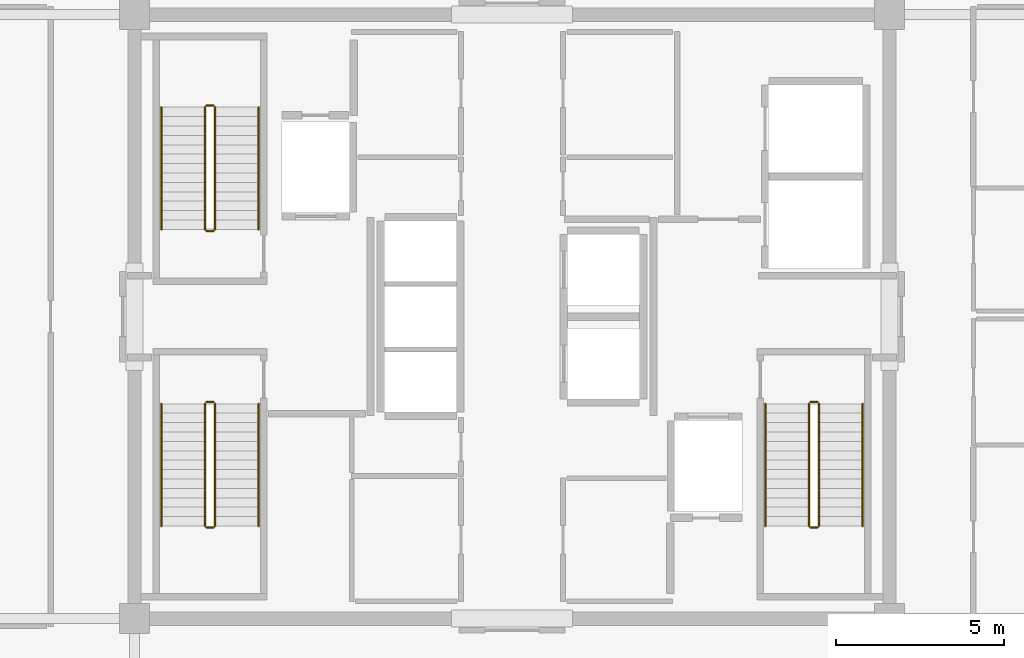
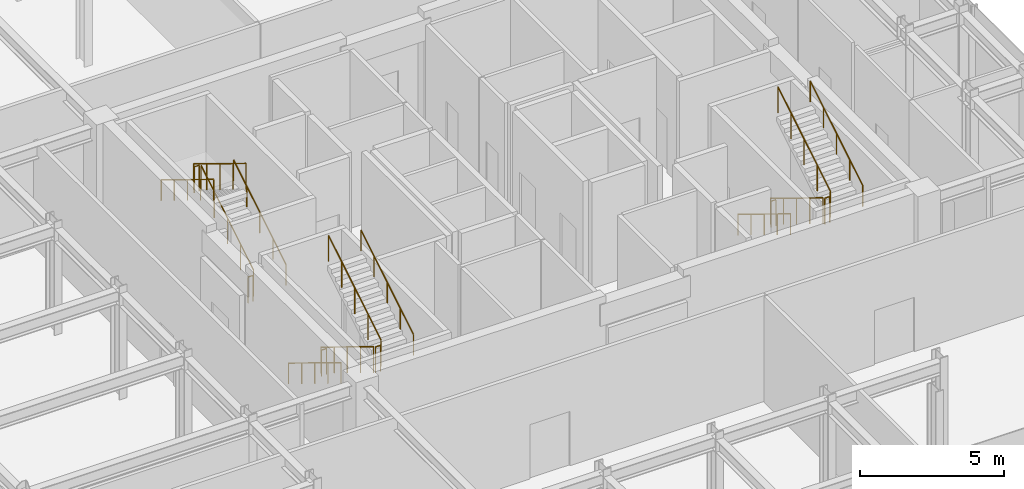
# One storey, part 16 of 17: 18 railings.
"""IFC4 building model written with IfcOpenShell, lengths in metres."""

from ifc_helpers import new_model, si_unit, direction, frame, origin, origin_2d, place, context, subcontext, project, spatial, circle, extrude, material, type_object, element, save


model = new_model("IFC4")

# Units and contexts
model_context = context("Model", 3, precision=1e-05, world=origin(), true_north=direction((0.0, 1.0)))
body_context = subcontext(model_context, "Body", "Model", "MODEL_VIEW")
ifc_project = project(units=[si_unit("LENGTHUNIT", "METRE"), si_unit("AREAUNIT", "SQUARE_METRE"), si_unit("VOLUMEUNIT", "CUBIC_METRE"), si_unit("PLANEANGLEUNIT", "RADIAN"), si_unit("MASSUNIT", "GRAM", prefix="KILO")], contexts=[model_context])

# Site, building, storey
site_placement = place(None, origin())
site = spatial("IfcSite", under=ifc_project, at=site_placement, CompositionType="ELEMENT")
building_placement = place(site_placement, origin())
building = spatial("IfcBuilding", under=site, at=building_placement, Name="Nefas-Gora Pilgrimage Tower", CompositionType="ELEMENT")
storey_placement = place(building_placement, frame((0.0, 0.0, 349.0)))
storey = spatial("IfcBuildingStorey", under=building, at=storey_placement, Name="L88", CompositionType="ELEMENT", Elevation=349.0)

# Railings
ifc_material_1 = material(Name="Painted galvanised steel", Category="steel")
railing_type_1 = type_object("IfcRailingType", Name="RLG-STR-GUARD-1100", PredefinedType="GUARDRAIL", material=ifc_material_1)
railing_1_placement = place(storey_placement, frame((-8.85009765625, 2.60009765625, 0.17138671875)))
element("IfcRailing", 1, at=railing_1_placement, inside=storey, type_object=railing_type_1, Name="L88 ST-01 stair guard 1", PredefinedType="GUARDRAIL", context=body_context, shape_type="SweptSolid", body=[
    extrude(circle(Radius=0.02392578125, at=origin_2d()), frame((0.0, 0.0, 1.09619140625), z_axis=(0.0, 0.852850264322, 0.5221555579), x_axis=(-1.0, 0.0, 0.0)), (0.0, 0.0, 1.0), 4.267822265625),
    extrude(circle(Radius=0.02099609375, at=origin_2d()), origin(), (0.0, 0.0, 1.0), 1.072021484375),
    extrude(circle(Radius=0.02099609375, at=origin_2d()), frame((0.0, 0.909912109375, 0.55712890625)), (0.0, 0.0, 1.0), 1.072021484375),
    extrude(circle(Radius=0.02099609375, at=origin_2d()), frame((0.0, 1.81982421875, 1.1142578125)), (0.0, 0.0, 1.0), 1.072021484375),
    extrude(circle(Radius=0.02099609375, at=origin_2d()), frame((0.0, 2.72998046875, 1.67138671875)), (0.0, 0.0, 1.0), 1.072021484375),
    extrude(circle(Radius=0.02099609375, at=origin_2d()), frame((0.0, 3.639892578125, 2.228515625)), (0.0, 0.0, 1.0), 1.072021484375),
])
railing_2_placement = place(storey_placement, frame((-8.89990234375, 6.2900390625, 2.39990234375)))
element("IfcRailing", 2, at=railing_2_placement, inside=storey, type_object=railing_type_1, Name="L88 ST-01 stair guard 2", PredefinedType="GUARDRAIL", context=body_context, shape_type="SweptSolid", body=[
    extrude(circle(Radius=0.02392578125, at=origin_2d()), frame((0.0, 0.0, 1.09619140625), z_axis=(-1.0, 0.0, 0.0), x_axis=(0.0, -1.0, 0.0)), (0.0, 0.0, 1.0), 0.2001953125),
    extrude(circle(Radius=0.02099609375, at=origin_2d()), origin(), (0.0, 0.0, 1.0), 1.072021484375),
    extrude(circle(Radius=0.02099609375, at=origin_2d()), frame((-0.2001953125, 0.0, 0.0)), (0.0, 0.0, 1.0), 1.072021484375),
])
railing_3_placement = place(storey_placement, frame((-9.14990234375, 6.239990234375, 2.571533203125)))
element("IfcRailing", 3, at=railing_3_placement, inside=storey, type_object=railing_type_1, Name="L88 ST-01 stair guard 3", PredefinedType="GUARDRAIL", context=body_context, shape_type="SweptSolid", body=[
    extrude(circle(Radius=0.02392578125, at=origin_2d()), frame((0.0, 0.0, 1.09619140625), z_axis=(0.0, -0.852850264322, 0.5221555579), x_axis=(1.0, 0.0, 0.0)), (0.0, 0.0, 1.0), 4.267822265625),
    extrude(circle(Radius=0.02099609375, at=origin_2d()), origin(), (0.0, 0.0, 1.0), 1.072021484375),
    extrude(circle(Radius=0.02099609375, at=origin_2d()), frame((0.0, -0.909912109375, 0.55712890625)), (0.0, 0.0, 1.0), 1.072021484375),
    extrude(circle(Radius=0.02099609375, at=origin_2d()), frame((0.0, -1.81982421875, 1.1142578125)), (0.0, 0.0, 1.0), 1.072021484375),
    extrude(circle(Radius=0.02099609375, at=origin_2d()), frame((0.0, -2.72998046875, 1.67138671875)), (0.0, 0.0, 1.0), 1.072021484375),
    extrude(circle(Radius=0.02099609375, at=origin_2d()), frame((0.0, -3.639892578125, 2.228515625)), (0.0, 0.0, 1.0), 1.072021484375),
])
railing_4_placement = place(storey_placement, frame((-8.89990234375, 2.550048828125, 0.0)))
element("IfcRailing", 4, at=railing_4_placement, inside=storey, type_object=railing_type_1, Name="L88 ST-01 stair guard 4", PredefinedType="GUARDRAIL", context=body_context, shape_type="SweptSolid", body=[
    extrude(circle(Radius=0.02392578125, at=origin_2d()), frame((0.0, 0.0, 1.09619140625), z_axis=(-1.0, 0.0, 0.0), x_axis=(0.0, -1.0, 0.0)), (0.0, 0.0, 1.0), 0.2001953125),
    extrude(circle(Radius=0.02099609375, at=origin_2d()), origin(), (0.0, 0.0, 1.0), 1.072021484375),
    extrude(circle(Radius=0.02099609375, at=origin_2d()), frame((-0.2001953125, 0.0, 0.0)), (0.0, 0.0, 1.0), 1.072021484375),
])
railing_5_placement = place(storey_placement, frame((8.85009765625, -2.60009765625, 0.17138671875)))
element("IfcRailing", 5, at=railing_5_placement, inside=storey, type_object=railing_type_1, Name="L88 ST-02 stair guard 1", PredefinedType="GUARDRAIL", context=body_context, shape_type="SweptSolid", body=[
    extrude(circle(Radius=0.02392578125, at=origin_2d()), frame((0.0, 0.0, 1.09619140625), z_axis=(0.0, -0.852850264322, 0.5221555579), x_axis=(1.0, 0.0, 0.0)), (0.0, 0.0, 1.0), 4.267822265625),
    extrude(circle(Radius=0.02099609375, at=origin_2d()), origin(), (0.0, 0.0, 1.0), 1.072021484375),
    extrude(circle(Radius=0.02099609375, at=origin_2d()), frame((0.0, -0.909912109375, 0.55712890625)), (0.0, 0.0, 1.0), 1.072021484375),
    extrude(circle(Radius=0.02099609375, at=origin_2d()), frame((0.0, -1.81982421875, 1.1142578125)), (0.0, 0.0, 1.0), 1.072021484375),
    extrude(circle(Radius=0.02099609375, at=origin_2d()), frame((0.0, -2.72998046875, 1.67138671875)), (0.0, 0.0, 1.0), 1.072021484375),
    extrude(circle(Radius=0.02099609375, at=origin_2d()), frame((0.0, -3.639892578125, 2.228515625)), (0.0, 0.0, 1.0), 1.072021484375),
])
railing_6_placement = place(storey_placement, frame((8.89990234375, -6.2900390625, 2.39990234375)))
element("IfcRailing", 6, at=railing_6_placement, inside=storey, type_object=railing_type_1, Name="L88 ST-02 stair guard 2", PredefinedType="GUARDRAIL", context=body_context, shape_type="SweptSolid", body=[
    extrude(circle(Radius=0.02392578125, at=origin_2d()), frame((0.0, 0.0, 1.09619140625), z_axis=(1.0, 0.0, 0.0), x_axis=(0.0, 1.0, 0.0)), (0.0, 0.0, 1.0), 0.2001953125),
    extrude(circle(Radius=0.02099609375, at=origin_2d()), origin(), (0.0, 0.0, 1.0), 1.072021484375),
    extrude(circle(Radius=0.02099609375, at=origin_2d()), frame((0.2001953125, 0.0, 0.0)), (0.0, 0.0, 1.0), 1.072021484375),
])
railing_7_placement = place(storey_placement, frame((9.14990234375, -6.239990234375, 2.571533203125)))
element("IfcRailing", 7, at=railing_7_placement, inside=storey, type_object=railing_type_1, Name="L88 ST-02 stair guard 3", PredefinedType="GUARDRAIL", context=body_context, shape_type="SweptSolid", body=[
    extrude(circle(Radius=0.02392578125, at=origin_2d()), frame((0.0, 0.0, 1.09619140625), z_axis=(0.0, 0.852850264322, 0.5221555579), x_axis=(-1.0, 0.0, 0.0)), (0.0, 0.0, 1.0), 4.267822265625),
    extrude(circle(Radius=0.02099609375, at=origin_2d()), origin(), (0.0, 0.0, 1.0), 1.072021484375),
    extrude(circle(Radius=0.02099609375, at=origin_2d()), frame((0.0, 0.909912109375, 0.55712890625)), (0.0, 0.0, 1.0), 1.072021484375),
    extrude(circle(Radius=0.02099609375, at=origin_2d()), frame((0.0, 1.81982421875, 1.1142578125)), (0.0, 0.0, 1.0), 1.072021484375),
    extrude(circle(Radius=0.02099609375, at=origin_2d()), frame((0.0, 2.72998046875, 1.67138671875)), (0.0, 0.0, 1.0), 1.072021484375),
    extrude(circle(Radius=0.02099609375, at=origin_2d()), frame((0.0, 3.639892578125, 2.228515625)), (0.0, 0.0, 1.0), 1.072021484375),
])
railing_8_placement = place(storey_placement, frame((8.89990234375, -2.550048828125, 0.0)))
element("IfcRailing", 8, at=railing_8_placement, inside=storey, type_object=railing_type_1, Name="L88 ST-02 stair guard 4", PredefinedType="GUARDRAIL", context=body_context, shape_type="SweptSolid", body=[
    extrude(circle(Radius=0.02392578125, at=origin_2d()), frame((0.0, 0.0, 1.09619140625), z_axis=(1.0, 0.0, 0.0), x_axis=(0.0, 1.0, 0.0)), (0.0, 0.0, 1.0), 0.2001953125),
    extrude(circle(Radius=0.02099609375, at=origin_2d()), origin(), (0.0, 0.0, 1.0), 1.072021484375),
    extrude(circle(Radius=0.02099609375, at=origin_2d()), frame((0.2001953125, 0.0, 0.0)), (0.0, 0.0, 1.0), 1.072021484375),
])
railing_9_placement = place(storey_placement, frame((-9.14990234375, -2.60009765625, 0.17138671875)))
element("IfcRailing", 9, at=railing_9_placement, inside=storey, type_object=railing_type_1, Name="L88 ST-03 stair guard 1", PredefinedType="GUARDRAIL", context=body_context, shape_type="SweptSolid", body=[
    extrude(circle(Radius=0.02392578125, at=origin_2d()), frame((0.0, 0.0, 1.09619140625), z_axis=(0.0, -0.852850264322, 0.5221555579), x_axis=(1.0, 0.0, 0.0)), (0.0, 0.0, 1.0), 4.267822265625),
    extrude(circle(Radius=0.02099609375, at=origin_2d()), origin(), (0.0, 0.0, 1.0), 1.072021484375),
    extrude(circle(Radius=0.02099609375, at=origin_2d()), frame((0.0, -0.909912109375, 0.55712890625)), (0.0, 0.0, 1.0), 1.072021484375),
    extrude(circle(Radius=0.02099609375, at=origin_2d()), frame((0.0, -1.81982421875, 1.1142578125)), (0.0, 0.0, 1.0), 1.072021484375),
    extrude(circle(Radius=0.02099609375, at=origin_2d()), frame((0.0, -2.72998046875, 1.67138671875)), (0.0, 0.0, 1.0), 1.072021484375),
    extrude(circle(Radius=0.02099609375, at=origin_2d()), frame((0.0, -3.639892578125, 2.228515625)), (0.0, 0.0, 1.0), 1.072021484375),
])
railing_10_placement = place(storey_placement, frame((-9.10009765625, -6.2900390625, 2.39990234375)))
element("IfcRailing", 10, at=railing_10_placement, inside=storey, type_object=railing_type_1, Name="L88 ST-03 stair guard 2", PredefinedType="GUARDRAIL", context=body_context, shape_type="SweptSolid", body=[
    extrude(circle(Radius=0.02392578125, at=origin_2d()), frame((0.0, 0.0, 1.09619140625), z_axis=(1.0, 0.0, 0.0), x_axis=(0.0, 1.0, 0.0)), (0.0, 0.0, 1.0), 0.2001953125),
    extrude(circle(Radius=0.02099609375, at=origin_2d()), origin(), (0.0, 0.0, 1.0), 1.072021484375),
    extrude(circle(Radius=0.02099609375, at=origin_2d()), frame((0.2001953125, 0.0, 0.0)), (0.0, 0.0, 1.0), 1.072021484375),
])
railing_11_placement = place(storey_placement, frame((-8.85009765625, -6.239990234375, 2.571533203125)))
element("IfcRailing", 11, at=railing_11_placement, inside=storey, type_object=railing_type_1, Name="L88 ST-03 stair guard 3", PredefinedType="GUARDRAIL", context=body_context, shape_type="SweptSolid", body=[
    extrude(circle(Radius=0.02392578125, at=origin_2d()), frame((0.0, 0.0, 1.09619140625), z_axis=(0.0, 0.852850264322, 0.5221555579), x_axis=(-1.0, 0.0, 0.0)), (0.0, 0.0, 1.0), 4.267822265625),
    extrude(circle(Radius=0.02099609375, at=origin_2d()), origin(), (0.0, 0.0, 1.0), 1.072021484375),
    extrude(circle(Radius=0.02099609375, at=origin_2d()), frame((0.0, 0.909912109375, 0.55712890625)), (0.0, 0.0, 1.0), 1.072021484375),
    extrude(circle(Radius=0.02099609375, at=origin_2d()), frame((0.0, 1.81982421875, 1.1142578125)), (0.0, 0.0, 1.0), 1.072021484375),
    extrude(circle(Radius=0.02099609375, at=origin_2d()), frame((0.0, 2.72998046875, 1.67138671875)), (0.0, 0.0, 1.0), 1.072021484375),
    extrude(circle(Radius=0.02099609375, at=origin_2d()), frame((0.0, 3.639892578125, 2.228515625)), (0.0, 0.0, 1.0), 1.072021484375),
])
railing_12_placement = place(storey_placement, frame((-9.10009765625, -2.550048828125, 0.0)))
element("IfcRailing", 12, at=railing_12_placement, inside=storey, type_object=railing_type_1, Name="L88 ST-03 stair guard 4", PredefinedType="GUARDRAIL", context=body_context, shape_type="SweptSolid", body=[
    extrude(circle(Radius=0.02392578125, at=origin_2d()), frame((0.0, 0.0, 1.09619140625), z_axis=(1.0, 0.0, 0.0), x_axis=(0.0, 1.0, 0.0)), (0.0, 0.0, 1.0), 0.2001953125),
    extrude(circle(Radius=0.02099609375, at=origin_2d()), origin(), (0.0, 0.0, 1.0), 1.072021484375),
    extrude(circle(Radius=0.02099609375, at=origin_2d()), frame((0.2001953125, 0.0, 0.0)), (0.0, 0.0, 1.0), 1.072021484375),
])
ifc_material_2 = material(Name="Brushed stainless steel", Category="steel")
railing_type_2 = type_object("IfcRailingType", Name="RLG-STR-HAND-900", PredefinedType="HANDRAIL", material=ifc_material_2)
railing_13_placement = place(storey_placement, frame((-7.550048828125, 2.60009765625, 0.17138671875)))
element("IfcRailing", 13, at=railing_13_placement, inside=storey, type_object=railing_type_2, Name="L88 ST-01 stair handrail 1", PredefinedType="HANDRAIL", context=body_context, shape_type="SweptSolid", body=[
    extrude(circle(Radius=0.02392578125, at=origin_2d()), frame((0.0, 0.0, 0.8759765625), z_axis=(0.0, 0.852850264322, 0.5221555579), x_axis=(-1.0, 0.0, 0.0)), (0.0, 0.0, 1.0), 4.267822265625),
    extrude(circle(Radius=0.02099609375, at=origin_2d()), origin(), (0.0, 0.0, 1.0), 0.851806640625),
    extrude(circle(Radius=0.02099609375, at=origin_2d()), frame((0.0, 0.909912109375, 0.55712890625)), (0.0, 0.0, 1.0), 0.851806640625),
    extrude(circle(Radius=0.02099609375, at=origin_2d()), frame((0.0, 1.81982421875, 1.1142578125)), (0.0, 0.0, 1.0), 0.851806640625),
    extrude(circle(Radius=0.02099609375, at=origin_2d()), frame((0.0, 2.72998046875, 1.67138671875)), (0.0, 0.0, 1.0), 0.851806640625),
    extrude(circle(Radius=0.02099609375, at=origin_2d()), frame((0.0, 3.639892578125, 2.228515625)), (0.0, 0.0, 1.0), 0.851806640625),
])
for number, where, name in (
    (14, (-10.449951171875, 6.239990234375, 2.571533203125), "L88 ST-01 stair handrail 2"),
    (15, (7.550048828125, -2.60009765625, 0.17138671875), "L88 ST-02 stair handrail 1"),
):
    element("IfcRailing", number, at=place(storey_placement, frame(where)), inside=storey, type_object=railing_type_2, Name=name, PredefinedType="HANDRAIL", context=body_context, shape_type="SweptSolid", body=[
        extrude(circle(Radius=0.02392578125, at=origin_2d()), frame((0.0, 0.0, 0.8759765625), z_axis=(0.0, -0.852850264322, 0.5221555579), x_axis=(1.0, 0.0, 0.0)), (0.0, 0.0, 1.0), 4.267822265625),
        extrude(circle(Radius=0.02099609375, at=origin_2d()), origin(), (0.0, 0.0, 1.0), 0.851806640625),
        extrude(circle(Radius=0.02099609375, at=origin_2d()), frame((0.0, -0.909912109375, 0.55712890625)), (0.0, 0.0, 1.0), 0.851806640625),
        extrude(circle(Radius=0.02099609375, at=origin_2d()), frame((0.0, -1.81982421875, 1.1142578125)), (0.0, 0.0, 1.0), 0.851806640625),
        extrude(circle(Radius=0.02099609375, at=origin_2d()), frame((0.0, -2.72998046875, 1.67138671875)), (0.0, 0.0, 1.0), 0.851806640625),
        extrude(circle(Radius=0.02099609375, at=origin_2d()), frame((0.0, -3.639892578125, 2.228515625)), (0.0, 0.0, 1.0), 0.851806640625),
    ])
railing_14_placement = place(storey_placement, frame((10.449951171875, -6.239990234375, 2.571533203125)))
element("IfcRailing", 16, at=railing_14_placement, inside=storey, type_object=railing_type_2, Name="L88 ST-02 stair handrail 2", PredefinedType="HANDRAIL", context=body_context, shape_type="SweptSolid", body=[
    extrude(circle(Radius=0.02392578125, at=origin_2d()), frame((0.0, 0.0, 0.8759765625), z_axis=(0.0, 0.852850264322, 0.5221555579), x_axis=(-1.0, 0.0, 0.0)), (0.0, 0.0, 1.0), 4.267822265625),
    extrude(circle(Radius=0.02099609375, at=origin_2d()), origin(), (0.0, 0.0, 1.0), 0.851806640625),
    extrude(circle(Radius=0.02099609375, at=origin_2d()), frame((0.0, 0.909912109375, 0.55712890625)), (0.0, 0.0, 1.0), 0.851806640625),
    extrude(circle(Radius=0.02099609375, at=origin_2d()), frame((0.0, 1.81982421875, 1.1142578125)), (0.0, 0.0, 1.0), 0.851806640625),
    extrude(circle(Radius=0.02099609375, at=origin_2d()), frame((0.0, 2.72998046875, 1.67138671875)), (0.0, 0.0, 1.0), 0.851806640625),
    extrude(circle(Radius=0.02099609375, at=origin_2d()), frame((0.0, 3.639892578125, 2.228515625)), (0.0, 0.0, 1.0), 0.851806640625),
])
railing_15_placement = place(storey_placement, frame((-10.449951171875, -2.60009765625, 0.17138671875)))
element("IfcRailing", 17, at=railing_15_placement, inside=storey, type_object=railing_type_2, Name="L88 ST-03 stair handrail 1", PredefinedType="HANDRAIL", context=body_context, shape_type="SweptSolid", body=[
    extrude(circle(Radius=0.02392578125, at=origin_2d()), frame((0.0, 0.0, 0.8759765625), z_axis=(0.0, -0.852850264322, 0.5221555579), x_axis=(1.0, 0.0, 0.0)), (0.0, 0.0, 1.0), 4.267822265625),
    extrude(circle(Radius=0.02099609375, at=origin_2d()), origin(), (0.0, 0.0, 1.0), 0.851806640625),
    extrude(circle(Radius=0.02099609375, at=origin_2d()), frame((0.0, -0.909912109375, 0.55712890625)), (0.0, 0.0, 1.0), 0.851806640625),
    extrude(circle(Radius=0.02099609375, at=origin_2d()), frame((0.0, -1.81982421875, 1.1142578125)), (0.0, 0.0, 1.0), 0.851806640625),
    extrude(circle(Radius=0.02099609375, at=origin_2d()), frame((0.0, -2.72998046875, 1.67138671875)), (0.0, 0.0, 1.0), 0.851806640625),
    extrude(circle(Radius=0.02099609375, at=origin_2d()), frame((0.0, -3.639892578125, 2.228515625)), (0.0, 0.0, 1.0), 0.851806640625),
])
railing_16_placement = place(storey_placement, frame((-7.550048828125, -6.239990234375, 2.571533203125)))
element("IfcRailing", 18, at=railing_16_placement, inside=storey, type_object=railing_type_2, Name="L88 ST-03 stair handrail 2", PredefinedType="HANDRAIL", context=body_context, shape_type="SweptSolid", body=[
    extrude(circle(Radius=0.02392578125, at=origin_2d()), frame((0.0, 0.0, 0.8759765625), z_axis=(0.0, 0.852850264322, 0.5221555579), x_axis=(-1.0, 0.0, 0.0)), (0.0, 0.0, 1.0), 4.267822265625),
    extrude(circle(Radius=0.02099609375, at=origin_2d()), origin(), (0.0, 0.0, 1.0), 0.851806640625),
    extrude(circle(Radius=0.02099609375, at=origin_2d()), frame((0.0, 0.909912109375, 0.55712890625)), (0.0, 0.0, 1.0), 0.851806640625),
    extrude(circle(Radius=0.02099609375, at=origin_2d()), frame((0.0, 1.81982421875, 1.1142578125)), (0.0, 0.0, 1.0), 0.851806640625),
    extrude(circle(Radius=0.02099609375, at=origin_2d()), frame((0.0, 2.72998046875, 1.67138671875)), (0.0, 0.0, 1.0), 0.851806640625),
    extrude(circle(Radius=0.02099609375, at=origin_2d()), frame((0.0, 3.639892578125, 2.228515625)), (0.0, 0.0, 1.0), 0.851806640625),
])

save(model, "model.ifc")
